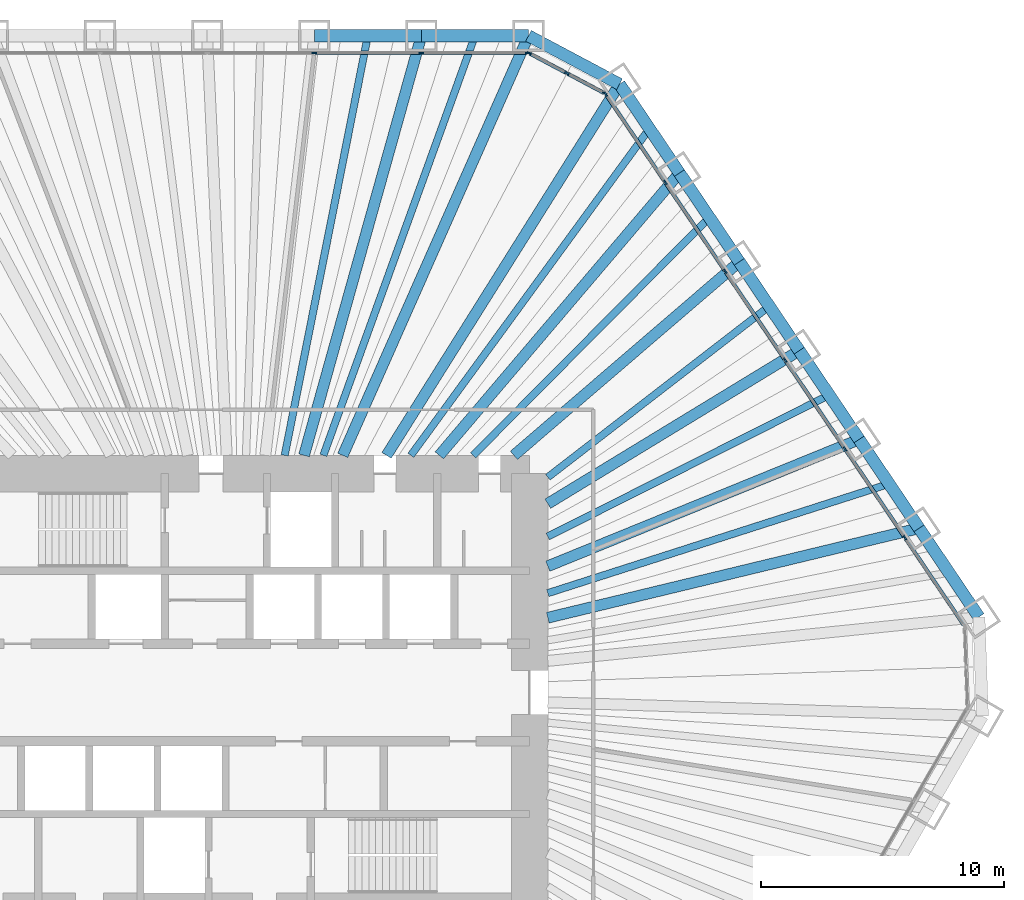
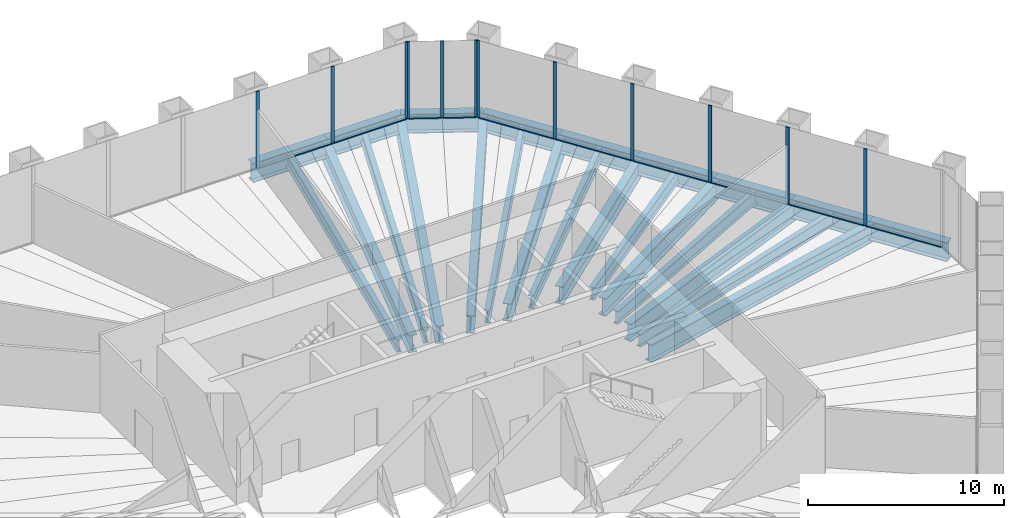
# One storey, part 7 of 13: 24 beams, 22 members, 3 elements without a shape of their own.
"""IFC4 building model written with IfcOpenShell, lengths in metres."""

from ifc_helpers import new_model, si_unit, direction, frame, origin, origin_2d, place, context, subcontext, project, spatial, rectangle, i_section, extrude, material, material_profile, profile_set, type_object, element, aggregate, save


model = new_model("IFC4")

# Units and contexts
model_context = context("Model", 3, precision=1e-05, world=origin(), true_north=direction((0.0, 1.0)))
body_context = subcontext(model_context, "Body", "Model", "MODEL_VIEW")
ifc_project = project(units=[si_unit("LENGTHUNIT", "METRE"), si_unit("AREAUNIT", "SQUARE_METRE"), si_unit("VOLUMEUNIT", "CUBIC_METRE"), si_unit("PLANEANGLEUNIT", "RADIAN"), si_unit("MASSUNIT", "GRAM", prefix="KILO")], contexts=[model_context])

# Site, building, storey
site_placement = place(None, origin())
site = spatial("IfcSite", under=ifc_project, at=site_placement, CompositionType="ELEMENT")
building_placement = place(site_placement, origin())
building = spatial("IfcBuilding", under=site, at=building_placement, Name="Qingtian Harvest Tower", CompositionType="ELEMENT")
storey_placement = place(building_placement, frame((0.0, 0.0, 47.0)))
storey = spatial("IfcBuildingStorey", under=building, at=storey_placement, Name="L09", CompositionType="ELEMENT", Elevation=47.0)

# Beams
ifc_material_1 = material(Name="Steel SM570MC", Category="steel")
ifc_material_profile_1 = material_profile(ifc_material_1, i_section(OverallWidth=0.449951171875, OverallDepth=1.10009765625, WebThickness=0.02197265625, FlangeThickness=0.044921875, at=origin_2d()), Name="H1100x450x22x45")
ifc_profile_set_1 = profile_set([ifc_material_profile_1], Name="Steel SM570MC")
beam_type_1 = type_object("IfcBeamType", Name="Corner floor beam FB8 H1100x450x22x45", PredefinedType="BEAM", material=ifc_profile_set_1)
beam_1_placement = place(storey_placement, frame((11.9560546875, 27.0, -0.75), z_axis=(-0.404898955654, -0.914361436036, 0.0), x_axis=(0.914361436036, -0.404898955654, 0.0)))
element("IfcBeam", 1, at=beam_1_placement, inside=storey, type_object=beam_type_1, Name="Floor beam FB8 N6", PredefinedType="BEAM", context=body_context, shape_type="SweptSolid", body=[
    extrude(i_section(OverallWidth=0.449951171875, OverallDepth=1.10009765625, WebThickness=0.02197265625, FlangeThickness=0.044921875, at=origin_2d()), origin(), (0.0, 0.0, 1.0), 18.86572265625),
])
beam_2_placement = place(storey_placement, frame((15.6982421875, 25.01025390625, -0.75), z_axis=(-0.531622796942, -0.846981228701, 0.0), x_axis=(0.846981228701, -0.531622796942, 0.0)))
element("IfcBeam", 2, at=beam_2_placement, inside=storey, type_object=beam_type_1, Name="Floor beam FB8 NE0", PredefinedType="BEAM", context=body_context, shape_type="SweptSolid", body=[
    extrude(i_section(OverallWidth=0.449951171875, OverallDepth=1.10009765625, WebThickness=0.02197265625, FlangeThickness=0.044921875, at=origin_2d()), origin(), (0.0, 0.0, 1.0), 18.017333984375),
])
ifc_material_2 = material(Name="Steel SM570MC", Category="steel")
ifc_material_profile_2 = material_profile(ifc_material_2, i_section(OverallWidth=0.449951171875, OverallDepth=1.10009765625, WebThickness=0.02197265625, FlangeThickness=0.044921875, at=origin_2d()), Name="H1100x450x22x45")
ifc_profile_set_2 = profile_set([ifc_material_profile_2], Name="Steel SM570MC")
beam_type_2 = type_object("IfcBeamType", Name="Floor beam FB1 H1100x450x22x45", PredefinedType="BEAM", material=ifc_profile_set_2)
beam_3_placement = place(storey_placement, frame((7.551513671875, 27.0, -0.75), z_axis=(-0.269343258019, -0.963044240604, 0.0), x_axis=(0.963044240604, -0.269343258019, 0.0)))
element("IfcBeam", 3, at=beam_3_placement, inside=storey, type_object=beam_type_2, Name="Floor beam FB1 N5", PredefinedType="BEAM", context=body_context, shape_type="SweptSolid", body=[
    extrude(i_section(OverallWidth=0.449951171875, OverallDepth=1.10009765625, WebThickness=0.02197265625, FlangeThickness=0.044921875, at=origin_2d()), origin(), (0.0, 0.0, 1.0), 17.911865234375),
])
beam_4_placement = place(storey_placement, frame((18.1611328125, 21.358642578125, -0.75), z_axis=(-0.647781887327, -0.761825850474, 0.0), x_axis=(0.761825850474, -0.647781887327, 0.0)))
element("IfcBeam", 4, at=beam_4_placement, inside=storey, type_object=beam_type_2, Name="Floor beam FB1 NE1", PredefinedType="BEAM", context=body_context, shape_type="SweptSolid", body=[
    extrude(i_section(OverallWidth=0.449951171875, OverallDepth=1.10009765625, WebThickness=0.02197265625, FlangeThickness=0.044921875, at=origin_2d()), origin(), (0.0, 0.0, 1.0), 15.238037109375),
])
beam_5_placement = place(storey_placement, frame((20.624267578125, 17.70703125, -0.75), z_axis=(-0.75873153072, -0.651403457384, 0.0), x_axis=(0.651403457384, -0.75873153072, 0.0)))
element("IfcBeam", 5, at=beam_5_placement, inside=storey, type_object=beam_type_2, Name="Floor beam FB1 NE2", PredefinedType="BEAM", context=body_context, shape_type="SweptSolid", body=[
    extrude(i_section(OverallWidth=0.449951171875, OverallDepth=1.10009765625, WebThickness=0.02197265625, FlangeThickness=0.044921875, at=origin_2d()), origin(), (0.0, 0.0, 1.0), 12.21533203125),
])
beam_6_placement = place(storey_placement, frame((23.08740234375, 14.0556640625, -0.75), z_axis=(-0.854157261259, -0.520014781558, 0.0), x_axis=(0.520014781558, -0.854157261259, 0.0)))
element("IfcBeam", 6, at=beam_6_placement, inside=storey, type_object=beam_type_2, Name="Floor beam FB1 NE3", PredefinedType="BEAM", context=body_context, shape_type="SweptSolid", body=[
    extrude(i_section(OverallWidth=0.449951171875, OverallDepth=1.10009765625, WebThickness=0.02197265625, FlangeThickness=0.044921875, at=origin_2d()), origin(), (0.0, 0.0, 1.0), 12.1025390625),
])
beam_7_placement = place(storey_placement, frame((25.55029296875, 10.404052734375, -0.75), z_axis=(-0.926156354735, -0.37713977062, 0.0), x_axis=(0.37713977062, -0.926156354735, 0.0)))
element("IfcBeam", 7, at=beam_7_placement, inside=storey, type_object=beam_type_2, Name="Floor beam FB1 NE4", PredefinedType="BEAM", context=body_context, shape_type="SweptSolid", body=[
    extrude(i_section(OverallWidth=0.449951171875, OverallDepth=1.10009765625, WebThickness=0.02197265625, FlangeThickness=0.044921875, at=origin_2d()), origin(), (0.0, 0.0, 1.0), 13.82080078125),
])
beam_8_placement = place(storey_placement, frame((28.013427734375, 6.75244140625, -0.75), z_axis=(-0.972155908389, -0.234334994792, 0.0), x_axis=(0.234334994792, -0.972155908389, 0.0)))
element("IfcBeam", 8, at=beam_8_placement, inside=storey, type_object=beam_type_2, Name="Floor beam FB1 NE5", PredefinedType="BEAM", context=body_context, shape_type="SweptSolid", body=[
    extrude(i_section(OverallWidth=0.449951171875, OverallDepth=1.10009765625, WebThickness=0.02197265625, FlangeThickness=0.044921875, at=origin_2d()), origin(), (0.0, 0.0, 1.0), 15.70068359375),
])
ifc_material_3 = material(Name="Steel SN490B", Category="steel")
ifc_material_profile_3 = material_profile(ifc_material_3, i_section(OverallWidth=0.300048828125, OverallDepth=0.800048828125, WebThickness=0.013916015625, FlangeThickness=0.02587890625, at=origin_2d()), Name="H800x300x14x26")
ifc_profile_set_3 = profile_set([ifc_material_profile_3], Name="Steel SN490B")
beam_type_3 = type_object("IfcBeamType", Name="Floor joist J1 H800x300x14x26", PredefinedType="JOIST", material=ifc_profile_set_3)
beam_9_placement = place(storey_placement, frame((5.349365234375, 27.0, -0.60009765625), z_axis=(-0.19435104803, -0.980932041545, 0.0), x_axis=(0.980932041545, -0.19435104803, 0.0)))
element("IfcBeam", 9, at=beam_9_placement, inside=storey, type_object=beam_type_3, Name="Floor joist J1 N4", PredefinedType="JOIST", context=body_context, shape_type="SweptSolid", body=[
    extrude(i_section(OverallWidth=0.300048828125, OverallDepth=0.800048828125, WebThickness=0.013916015625, FlangeThickness=0.02587890625, at=origin_2d()), origin(), (0.0, 0.0, 1.0), 17.585205078125),
])
beam_10_placement = place(storey_placement, frame((9.75390625, 27.0, -0.60009765625), z_axis=(-0.339766141765, -0.940509951521, 0.0), x_axis=(0.940509951521, -0.339766141765, 0.0)))
element("IfcBeam", 10, at=beam_10_placement, inside=storey, type_object=beam_type_3, Name="Floor joist J1 N5", PredefinedType="JOIST", context=body_context, shape_type="SweptSolid", body=[
    extrude(i_section(OverallWidth=0.300048828125, OverallDepth=0.800048828125, WebThickness=0.013916015625, FlangeThickness=0.02587890625, at=origin_2d()), origin(), (0.0, 0.0, 1.0), 18.341064453125),
])
beam_11_placement = place(storey_placement, frame((16.9296875, 23.1845703125, -0.60009765625), z_axis=(-0.589722175422, -0.80760618857, 0.0), x_axis=(0.80760618857, -0.589722175422, 0.0)))
element("IfcBeam", 11, at=beam_11_placement, inside=storey, type_object=beam_type_3, Name="Floor joist J1 NE0", PredefinedType="JOIST", context=body_context, shape_type="SweptSolid", body=[
    extrude(i_section(OverallWidth=0.300048828125, OverallDepth=0.800048828125, WebThickness=0.013916015625, FlangeThickness=0.02587890625, at=origin_2d()), origin(), (0.0, 0.0, 1.0), 16.635009765625),
])
beam_12_placement = place(storey_placement, frame((19.392822265625, 19.532958984375, -0.60009765625), z_axis=(-0.704560879039, -0.709643549768, 0.0), x_axis=(0.709643549768, -0.704560879039, 0.0)))
element("IfcBeam", 12, at=beam_12_placement, inside=storey, type_object=beam_type_3, Name="Floor joist J1 NE1", PredefinedType="JOIST", context=body_context, shape_type="SweptSolid", body=[
    extrude(i_section(OverallWidth=0.300048828125, OverallDepth=0.800048828125, WebThickness=0.013916015625, FlangeThickness=0.02587890625, at=origin_2d()), origin(), (0.0, 0.0, 1.0), 13.78564453125),
])
beam_13_placement = place(storey_placement, frame((21.855712890625, 15.88134765625, -0.60009765625), z_axis=(-0.79149450594, -0.611176281499, 0.0), x_axis=(0.611176281499, -0.79149450594, 0.0)))
element("IfcBeam", 13, at=beam_13_placement, inside=storey, type_object=beam_type_3, Name="Floor joist J1 NE2", PredefinedType="JOIST", context=body_context, shape_type="SweptSolid", body=[
    extrude(i_section(OverallWidth=0.300048828125, OverallDepth=0.800048828125, WebThickness=0.013916015625, FlangeThickness=0.02587890625, at=origin_2d()), origin(), (0.0, 0.0, 1.0), 11.50439453125),
])
beam_14_placement = place(storey_placement, frame((24.31884765625, 12.229736328125, -0.60009765625), z_axis=(-0.893391632689, -0.449278744924, 0.0), x_axis=(0.449278744924, -0.893391632689, 0.0)))
element("IfcBeam", 14, at=beam_14_placement, inside=storey, type_object=beam_type_3, Name="Floor joist J1 NE3", PredefinedType="JOIST", context=body_context, shape_type="SweptSolid", body=[
    extrude(i_section(OverallWidth=0.300048828125, OverallDepth=0.800048828125, WebThickness=0.013916015625, FlangeThickness=0.02587890625, at=origin_2d()), origin(), (0.0, 0.0, 1.0), 12.949462890625),
])
beam_15_placement = place(storey_placement, frame((26.78173828125, 8.578125, -0.60009765625), z_axis=(-0.952340804978, -0.305036048976, 0.0), x_axis=(0.305036048976, -0.952340804978, 0.0)))
element("IfcBeam", 15, at=beam_15_placement, inside=storey, type_object=beam_type_3, Name="Floor joist J1 NE4", PredefinedType="JOIST", context=body_context, shape_type="SweptSolid", body=[
    extrude(i_section(OverallWidth=0.300048828125, OverallDepth=0.800048828125, WebThickness=0.013916015625, FlangeThickness=0.02587890625, at=origin_2d()), origin(), (0.0, 0.0, 1.0), 14.73388671875),
])

# Curtain wall, members
ifc_material_4 = material(Name="Bronze-anodised aluminium curtain wall", Category="aluminium")
curtain_wall_type = type_object("IfcCurtainWallType", Name="Curtain wall CW2 farm reception", PredefinedType="USERDEFINED", material=ifc_material_4)
curtain_wall_1_placement = place(storey_placement, origin())
curtain_wall_1 = element("IfcCurtainWall", 16, at=curtain_wall_1_placement, inside=storey, type_object=curtain_wall_type, Name="Curtain wall CW2 L09 N0-5", ObjectType="RECESSED CURTAIN WALL", PredefinedType="USERDEFINED")
ifc_material_5 = material(Name="Bronze-anodised aluminium mullion", Category="aluminium")
ifc_material_profile_4 = material_profile(ifc_material_5, rectangle(XDim=0.06494140625, YDim=0.199951171875, at=origin_2d()), Name="AL 65x200")
ifc_profile_set_4 = profile_set([ifc_material_profile_4], Name="Bronze-anodised aluminium mullion")
member_type_1 = type_object("IfcMemberType", Name="Mullion CWM 65x200", PredefinedType="MULLION", material=ifc_profile_set_4)
member_1_placement = place(storey_placement, frame((3.14697265625, 26.300048828125, 0.0), z_axis=(0.0, 0.0, 1.0), x_axis=(0.0, 1.0, 0.0)))
member_1 = element("IfcMember", 17, at=member_1_placement, type_object=member_type_1, Name="CW2 mullion 5", PredefinedType="MULLION", context=body_context, shape_type="SweptSolid", body=[
    extrude(rectangle(XDim=0.06494140625, YDim=0.199951171875, at=origin_2d()), origin(), (0.0, 0.0, 1.0), 4.800048828125),
])
member_2_placement = place(storey_placement, frame((7.551513671875, 26.300048828125, 0.0), z_axis=(0.0, 0.0, 1.0), x_axis=(0.0, 1.0, 0.0)))
member_2 = element("IfcMember", 18, at=member_2_placement, type_object=member_type_1, Name="CW2 mullion 6", PredefinedType="MULLION", context=body_context, shape_type="SweptSolid", body=[
    extrude(rectangle(XDim=0.06494140625, YDim=0.199951171875, at=origin_2d()), origin(), (0.0, 0.0, 1.0), 4.800048828125),
])
member_3_placement = place(storey_placement, frame((11.923583984375, 26.300048828125, 0.0), z_axis=(0.0, 0.0, 1.0), x_axis=(0.0, 1.0, 0.0)))
member_3 = element("IfcMember", 19, at=member_3_placement, type_object=member_type_1, Name="CW2 mullion 7", PredefinedType="MULLION", context=body_context, shape_type="SweptSolid", body=[
    extrude(rectangle(XDim=0.06494140625, YDim=0.199951171875, at=origin_2d()), origin(), (0.0, 0.0, 1.0), 4.800048828125),
])

curtain_wall_2_placement = place(storey_placement, origin())
curtain_wall_2 = element("IfcCurtainWall", 20, at=curtain_wall_2_placement, inside=storey, type_object=curtain_wall_type, Name="Curtain wall CW2 L09 NC", ObjectType="RECESSED CURTAIN WALL", PredefinedType="USERDEFINED")
member_4_placement = place(storey_placement, frame((11.98486328125, 26.28466796875, 0.0), z_axis=(0.0, 0.0, 1.0), x_axis=(0.469471562786, 0.882947592859, 0.0)))
member_4 = element("IfcMember", 21, at=member_4_placement, type_object=member_type_1, Name="CW2 mullion 1", PredefinedType="MULLION", context=body_context, shape_type="SweptSolid", body=[
    extrude(rectangle(XDim=0.06494140625, YDim=0.199951171875, at=origin_2d()), origin(), (0.0, 0.0, 1.0), 4.800048828125),
])
member_5_placement = place(storey_placement, frame((13.537109375, 25.45947265625, 0.0), z_axis=(0.0, 0.0, 1.0), x_axis=(0.469471562786, 0.882947592859, 0.0)))
member_5 = element("IfcMember", 22, at=member_5_placement, type_object=member_type_1, Name="CW2 mullion 2", PredefinedType="MULLION", context=body_context, shape_type="SweptSolid", body=[
    extrude(rectangle(XDim=0.06494140625, YDim=0.199951171875, at=origin_2d()), origin(), (0.0, 0.0, 1.0), 4.800048828125),
])
member_6_placement = place(storey_placement, frame((15.089111328125, 24.634033203125, 0.0), z_axis=(0.0, 0.0, 1.0), x_axis=(0.469471562786, 0.882947592859, 0.0)))
member_6 = element("IfcMember", 23, at=member_6_placement, type_object=member_type_1, Name="CW2 mullion 3", PredefinedType="MULLION", context=body_context, shape_type="SweptSolid", body=[
    extrude(rectangle(XDim=0.06494140625, YDim=0.199951171875, at=origin_2d()), origin(), (0.0, 0.0, 1.0), 4.800048828125),
])

curtain_wall_3_placement = place(storey_placement, origin())
curtain_wall_3 = element("IfcCurtainWall", 24, at=curtain_wall_3_placement, inside=storey, type_object=curtain_wall_type, Name="Curtain wall CW2 L09 NE0-5", ObjectType="RECESSED CURTAIN WALL", PredefinedType="USERDEFINED")
member_7_placement = place(storey_placement, frame((15.135986328125, 24.592041015625, 0.0), z_axis=(0.0, 0.0, 1.0), x_axis=(0.829037572555, 0.559192903471, 0.0)))
member_7 = element("IfcMember", 25, at=member_7_placement, type_object=member_type_1, Name="CW2 mullion 1", PredefinedType="MULLION", context=body_context, shape_type="SweptSolid", body=[
    extrude(rectangle(XDim=0.06494140625, YDim=0.199951171875, at=origin_2d()), origin(), (0.0, 0.0, 1.0), 4.800048828125),
])
member_8_placement = place(storey_placement, frame((17.580810546875, 20.96728515625, 0.0), z_axis=(0.0, 0.0, 1.0), x_axis=(0.829037572555, 0.559192903471, 0.0)))
member_8 = element("IfcMember", 26, at=member_8_placement, type_object=member_type_1, Name="CW2 mullion 2", PredefinedType="MULLION", context=body_context, shape_type="SweptSolid", body=[
    extrude(rectangle(XDim=0.06494140625, YDim=0.199951171875, at=origin_2d()), origin(), (0.0, 0.0, 1.0), 4.800048828125),
])
member_9_placement = place(storey_placement, frame((20.0439453125, 17.315673828125, 0.0), z_axis=(0.0, 0.0, 1.0), x_axis=(0.829037572555, 0.559192903471, 0.0)))
member_9 = element("IfcMember", 27, at=member_9_placement, type_object=member_type_1, Name="CW2 mullion 3", PredefinedType="MULLION", context=body_context, shape_type="SweptSolid", body=[
    extrude(rectangle(XDim=0.06494140625, YDim=0.199951171875, at=origin_2d()), origin(), (0.0, 0.0, 1.0), 4.800048828125),
])
member_10_placement = place(storey_placement, frame((22.507080078125, 13.6640625, 0.0), z_axis=(0.0, 0.0, 1.0), x_axis=(0.829037572555, 0.559192903471, 0.0)))
member_10 = element("IfcMember", 28, at=member_10_placement, type_object=member_type_1, Name="CW2 mullion 4", PredefinedType="MULLION", context=body_context, shape_type="SweptSolid", body=[
    extrude(rectangle(XDim=0.06494140625, YDim=0.199951171875, at=origin_2d()), origin(), (0.0, 0.0, 1.0), 4.800048828125),
])
member_11_placement = place(storey_placement, frame((24.969970703125, 10.012451171875, 0.0), z_axis=(0.0, 0.0, 1.0), x_axis=(0.829037572555, 0.559192903471, 0.0)))
member_11 = element("IfcMember", 29, at=member_11_placement, type_object=member_type_1, Name="CW2 mullion 5", PredefinedType="MULLION", context=body_context, shape_type="SweptSolid", body=[
    extrude(rectangle(XDim=0.06494140625, YDim=0.199951171875, at=origin_2d()), origin(), (0.0, 0.0, 1.0), 4.800048828125),
])
member_12_placement = place(storey_placement, frame((27.43310546875, 6.36083984375, 0.0), z_axis=(0.0, 0.0, 1.0), x_axis=(0.829037572555, 0.559192903471, 0.0)))
member_12 = element("IfcMember", 30, at=member_12_placement, type_object=member_type_1, Name="CW2 mullion 6", PredefinedType="MULLION", context=body_context, shape_type="SweptSolid", body=[
    extrude(rectangle(XDim=0.06494140625, YDim=0.199951171875, at=origin_2d()), origin(), (0.0, 0.0, 1.0), 4.800048828125),
])

# Beams
ifc_material_6 = material(Name="Steel SM570MC", Category="steel")
ifc_material_profile_5 = material_profile(ifc_material_6, i_section(OverallWidth=0.5, OverallDepth=1.199951171875, WebThickness=0.02490234375, FlangeThickness=0.050048828125, at=origin_2d()), Name="H1200x500x25x50")
ifc_profile_set_5 = profile_set([ifc_material_profile_5], Name="Steel SM570MC")
beam_type_4 = type_object("IfcBeamType", Name="Spandrel beam SB1 H1200x500x25x50", PredefinedType="SPANDREL", material=ifc_profile_set_5)
for number, where, z_axis, x_axis, name in (
    (31, (3.14697265625, 27.0, -0.60009765625), (1.0, 0.0, 0.0), (0.0, 1.0, 0.0), "Spandrel SB1 N4"),
    (32, (7.551513671875, 27.0, -0.60009765625), (1.0, 0.0, 0.0), (0.0, 1.0, 0.0), "Spandrel SB1 N5"),
):
    element("IfcBeam", number, at=place(storey_placement, frame(where, z_axis=z_axis, x_axis=x_axis)), inside=storey, type_object=beam_type_4, Name=name, PredefinedType="SPANDREL", context=body_context, shape_type="SweptSolid", body=[
        extrude(i_section(OverallWidth=0.5, OverallDepth=1.199951171875, WebThickness=0.02490234375, FlangeThickness=0.050048828125, at=origin_2d()), origin(), (0.0, 0.0, 1.0), 4.404541015625),
    ])
beam_16_placement = place(storey_placement, frame((11.9560546875, 27.0, -0.60009765625), z_axis=(0.882948599748, -0.469469669099, 0.0), x_axis=(0.469469669099, 0.882948599748, 0.0)))
element("IfcBeam", 33, at=beam_16_placement, inside=storey, type_object=beam_type_4, Name="Spandrel SB1 NC", PredefinedType="SPANDREL", context=body_context, shape_type="SweptSolid", body=[
    extrude(i_section(OverallWidth=0.5, OverallDepth=1.199951171875, WebThickness=0.02490234375, FlangeThickness=0.050048828125, at=origin_2d()), origin(), (0.0, 0.0, 1.0), 4.23828125),
])
beam_17_placement = place(storey_placement, frame((15.6982421875, 25.01025390625, -0.60009765625), z_axis=(0.559169135272, -0.829053603912, 0.0), x_axis=(0.829053603912, 0.559169135272, 0.0)))
element("IfcBeam", 34, at=beam_17_placement, inside=storey, type_object=beam_type_4, Name="Spandrel SB1 NE0", PredefinedType="SPANDREL", context=body_context, shape_type="SweptSolid", body=[
    extrude(i_section(OverallWidth=0.5, OverallDepth=1.199951171875, WebThickness=0.02490234375, FlangeThickness=0.050048828125, at=origin_2d()), origin(), (0.0, 0.0, 1.0), 4.404541015625),
])
beam_18_placement = place(storey_placement, frame((18.1611328125, 21.358642578125, -0.60009765625), z_axis=(0.559207231603, -0.829027907928, 0.0), x_axis=(0.829027907928, 0.559207231603, 0.0)))
element("IfcBeam", 35, at=beam_18_placement, inside=storey, type_object=beam_type_4, Name="Spandrel SB1 NE1", PredefinedType="SPANDREL", context=body_context, shape_type="SweptSolid", body=[
    extrude(i_section(OverallWidth=0.5, OverallDepth=1.199951171875, WebThickness=0.02490234375, FlangeThickness=0.050048828125, at=origin_2d()), origin(), (0.0, 0.0, 1.0), 4.40478515625),
])
for number, where, z_axis, x_axis, name in (
    (36, (20.624267578125, 17.70703125, -0.60009765625), (0.559232928578, -0.829010573874, 0.0), (0.829010573874, 0.559232928578, 0.0), "Spandrel SB1 NE2"),
    (37, (23.08740234375, 14.0556640625, -0.60009765625), (0.559169135272, -0.829053603912, 0.0), (0.829053603912, 0.559169135272, 0.0), "Spandrel SB1 NE3"),
):
    element("IfcBeam", number, at=place(storey_placement, frame(where, z_axis=z_axis, x_axis=x_axis)), inside=storey, type_object=beam_type_4, Name=name, PredefinedType="SPANDREL", context=body_context, shape_type="SweptSolid", body=[
        extrude(i_section(OverallWidth=0.5, OverallDepth=1.199951171875, WebThickness=0.02490234375, FlangeThickness=0.050048828125, at=origin_2d()), origin(), (0.0, 0.0, 1.0), 4.404541015625),
    ])
beam_19_placement = place(storey_placement, frame((25.55029296875, 10.404052734375, -0.60009765625), z_axis=(0.559207231603, -0.829027907928, 0.0), x_axis=(0.829027907928, 0.559207231603, 0.0)))
element("IfcBeam", 38, at=beam_19_placement, inside=storey, type_object=beam_type_4, Name="Spandrel SB1 NE4", PredefinedType="SPANDREL", context=body_context, shape_type="SweptSolid", body=[
    extrude(i_section(OverallWidth=0.5, OverallDepth=1.199951171875, WebThickness=0.02490234375, FlangeThickness=0.050048828125, at=origin_2d()), origin(), (0.0, 0.0, 1.0), 4.40478515625),
])
beam_20_placement = place(storey_placement, frame((28.013427734375, 6.75244140625, -0.60009765625), z_axis=(0.559169135272, -0.829053603912, 0.0), x_axis=(0.829053603912, 0.559169135272, 0.0)))
element("IfcBeam", 39, at=beam_20_placement, inside=storey, type_object=beam_type_4, Name="Spandrel SB1 NE5", PredefinedType="SPANDREL", context=body_context, shape_type="SweptSolid", body=[
    extrude(i_section(OverallWidth=0.5, OverallDepth=1.199951171875, WebThickness=0.02490234375, FlangeThickness=0.050048828125, at=origin_2d()), origin(), (0.0, 0.0, 1.0), 4.404541015625),
])

# Member
ifc_material_7 = material(Name="Bronze-anodised aluminium transom", Category="aluminium")
ifc_material_profile_6 = material_profile(ifc_material_7, rectangle(XDim=0.14990234375, YDim=0.06494140625, at=origin_2d()), Name="AL 65x150")
ifc_profile_set_6 = profile_set([ifc_material_profile_6], Name="Bronze-anodised aluminium transom")
member_type_2 = type_object("IfcMemberType", Name="Transom CWT 65x150", PredefinedType="USERDEFINED", material=ifc_profile_set_6)
member_13_placement = place(storey_placement, frame((3.179443359375, 26.300048828125, 0.032470703125), z_axis=(1.0, 0.0, 0.0), x_axis=(0.0, 1.0, 0.0)))
member_13 = element("IfcMember", 40, at=member_13_placement, type_object=member_type_2, Name="CW2 transom 5.1", ObjectType="TRANSOM", PredefinedType="USERDEFINED", context=body_context, shape_type="SweptSolid", body=[
    extrude(rectangle(XDim=0.14990234375, YDim=0.06494140625, at=origin_2d()), origin(), (0.0, 0.0, 1.0), 4.339599609375),
])

member_14_placement = place(storey_placement, frame((7.583984375, 26.300048828125, 0.032470703125), z_axis=(1.0, 0.0, 0.0), x_axis=(0.0, 1.0, 0.0)))
member_14 = element("IfcMember", 41, at=member_14_placement, type_object=member_type_2, Name="CW2 transom 6.1", ObjectType="TRANSOM", PredefinedType="USERDEFINED", context=body_context, shape_type="SweptSolid", body=[
    extrude(rectangle(XDim=0.14990234375, YDim=0.06494140625, at=origin_2d()), origin(), (0.0, 0.0, 1.0), 4.30712890625),
])

aggregate(curtain_wall_1, [member_1, member_2, member_3, member_13, member_14])

member_15_placement = place(storey_placement, frame((12.013427734375, 26.26953125, 0.032470703125), z_axis=(0.882927080927, -0.469510138086, 0.0), x_axis=(0.469510138086, 0.882927080927, 0.0)))
member_15 = element("IfcMember", 42, at=member_15_placement, type_object=member_type_2, Name="CW2 transom 1.1", ObjectType="TRANSOM", PredefinedType="USERDEFINED", context=body_context, shape_type="SweptSolid", body=[
    extrude(rectangle(XDim=0.14990234375, YDim=0.06494140625, at=origin_2d()), origin(), (0.0, 0.0, 1.0), 1.693115234375),
])

member_16_placement = place(storey_placement, frame((13.565673828125, 25.444091796875, 0.032470703125), z_axis=(0.882986854304, -0.469397715297, 0.0), x_axis=(0.469397715297, 0.882986854304, 0.0)))
member_16 = element("IfcMember", 43, at=member_16_placement, type_object=member_type_2, Name="CW2 transom 2.1", ObjectType="TRANSOM", PredefinedType="USERDEFINED", context=body_context, shape_type="SweptSolid", body=[
    extrude(rectangle(XDim=0.14990234375, YDim=0.06494140625, at=origin_2d()), origin(), (0.0, 0.0, 1.0), 1.69287109375),
])

aggregate(curtain_wall_2, [member_4, member_5, member_6, member_15, member_16])

member_17_placement = place(storey_placement, frame((15.154296875, 24.56494140625, 0.032470703125), z_axis=(0.559178817275, -0.82904707364, 0.0), x_axis=(0.82904707364, 0.559178817275, 0.0)))
member_17 = element("IfcMember", 44, at=member_17_placement, type_object=member_type_2, Name="CW2 transom 1.1", ObjectType="TRANSOM", PredefinedType="USERDEFINED", context=body_context, shape_type="SweptSolid", body=[
    extrude(rectangle(XDim=0.14990234375, YDim=0.06494140625, at=origin_2d()), origin(), (0.0, 0.0, 1.0), 4.30712890625),
])

member_18_placement = place(storey_placement, frame((17.59912109375, 20.9404296875, 0.032470703125), z_axis=(0.559210013199, -0.82902603164, 0.0), x_axis=(0.82902603164, 0.559210013199, 0.0)))
member_18 = element("IfcMember", 45, at=member_18_placement, type_object=member_type_2, Name="CW2 transom 2.1", ObjectType="TRANSOM", PredefinedType="USERDEFINED", context=body_context, shape_type="SweptSolid", body=[
    extrude(rectangle(XDim=0.14990234375, YDim=0.06494140625, at=origin_2d()), origin(), (0.0, 0.0, 1.0), 4.339599609375),
])

member_19_placement = place(storey_placement, frame((20.06201171875, 17.288818359375, 0.032470703125), z_axis=(0.559210013199, -0.82902603164, 0.0), x_axis=(0.82902603164, 0.559210013199, 0.0)))
member_19 = element("IfcMember", 46, at=member_19_placement, type_object=member_type_2, Name="CW2 transom 3.1", ObjectType="TRANSOM", PredefinedType="USERDEFINED", context=body_context, shape_type="SweptSolid", body=[
    extrude(rectangle(XDim=0.14990234375, YDim=0.06494140625, at=origin_2d()), origin(), (0.0, 0.0, 1.0), 4.339599609375),
])

member_20_placement = place(storey_placement, frame((22.525146484375, 13.63720703125, 0.032470703125), z_axis=(0.559210013199, -0.82902603164, 0.0), x_axis=(0.82902603164, 0.559210013199, 0.0)))
member_20 = element("IfcMember", 47, at=member_20_placement, type_object=member_type_2, Name="CW2 transom 4.1", ObjectType="TRANSOM", PredefinedType="USERDEFINED", context=body_context, shape_type="SweptSolid", body=[
    extrude(rectangle(XDim=0.14990234375, YDim=0.06494140625, at=origin_2d()), origin(), (0.0, 0.0, 1.0), 4.339599609375),
])

member_21_placement = place(storey_placement, frame((24.98828125, 9.985595703125, 0.032470703125), z_axis=(0.559171345763, -0.829052113005, 0.0), x_axis=(0.829052113005, 0.559171345763, 0.0)))
member_21 = element("IfcMember", 48, at=member_21_placement, type_object=member_type_2, Name="CW2 transom 5.1", ObjectType="TRANSOM", PredefinedType="USERDEFINED", context=body_context, shape_type="SweptSolid", body=[
    extrude(rectangle(XDim=0.14990234375, YDim=0.06494140625, at=origin_2d()), origin(), (0.0, 0.0, 1.0), 4.339599609375),
])

member_22_placement = place(storey_placement, frame((27.451171875, 6.333984375, 0.032470703125), z_axis=(0.559178817275, -0.82904707364, 0.0), x_axis=(0.82904707364, 0.559178817275, 0.0)))
member_22 = element("IfcMember", 49, at=member_22_placement, type_object=member_type_2, Name="CW2 transom 6.1", ObjectType="TRANSOM", PredefinedType="USERDEFINED", context=body_context, shape_type="SweptSolid", body=[
    extrude(rectangle(XDim=0.14990234375, YDim=0.06494140625, at=origin_2d()), origin(), (0.0, 0.0, 1.0), 4.30712890625),
])

aggregate(curtain_wall_3, [member_7, member_8, member_9, member_10, member_11, member_12, member_17, member_18, member_19, member_20, member_21, member_22])

save(model, "model.ifc")
